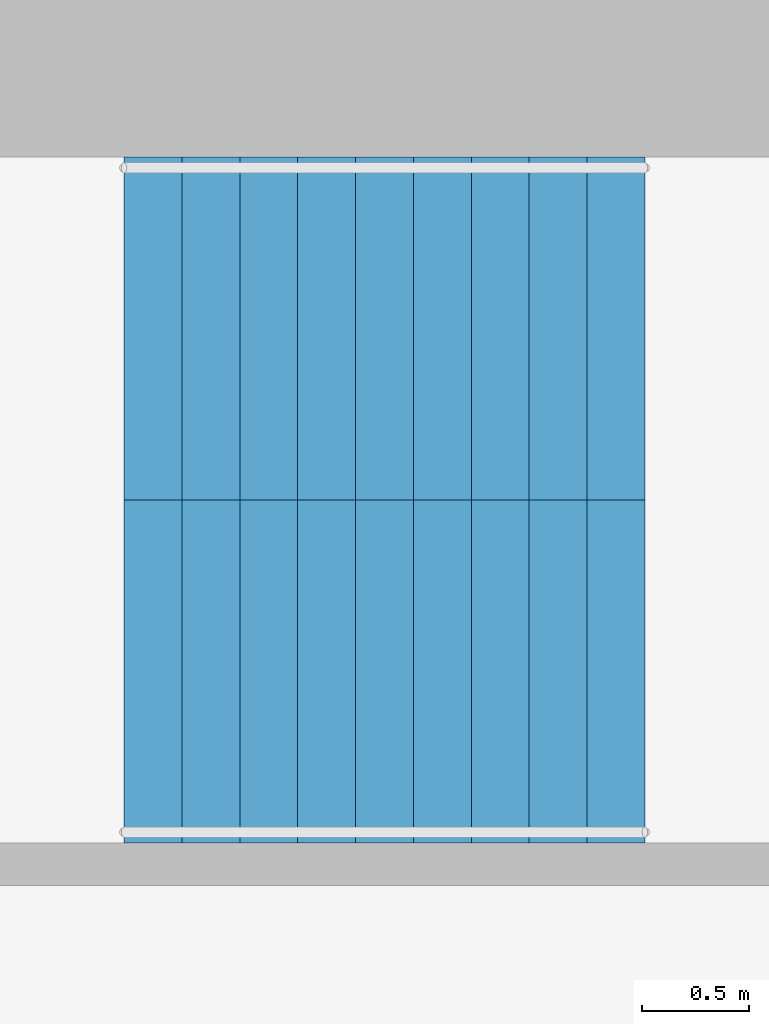
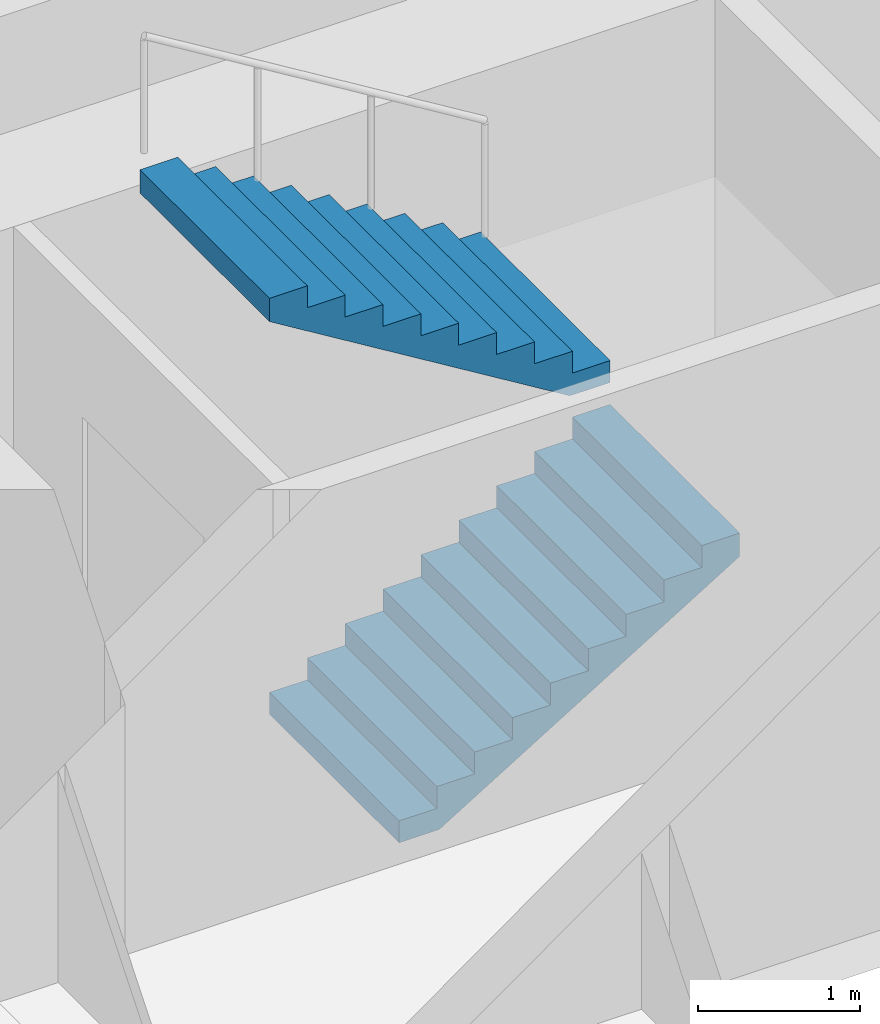
# One storey, part 10 of 13: 2 stair flights, 1 element without a shape of its own.
"""IFC4 building model written with IfcOpenShell, lengths in metres."""

from ifc_helpers import new_model, si_unit, direction, frame, origin, place, context, subcontext, project, spatial, polyline, outline, extrude, material, type_object, element, aggregate, save


model = new_model("IFC4")

# Units and contexts
model_context = context("Model", 3, precision=1e-05, world=origin(), true_north=direction((0.0, 1.0)))
body_context = subcontext(model_context, "Body", "Model", "MODEL_VIEW")
ifc_project = project(units=[si_unit("LENGTHUNIT", "METRE"), si_unit("AREAUNIT", "SQUARE_METRE"), si_unit("VOLUMEUNIT", "CUBIC_METRE"), si_unit("PLANEANGLEUNIT", "RADIAN"), si_unit("MASSUNIT", "GRAM", prefix="KILO")], contexts=[model_context])

# Site, building, storey
site_placement = place(None, origin())
site = spatial("IfcSite", under=ifc_project, at=site_placement, CompositionType="ELEMENT")
building_placement = place(site_placement, origin())
building = spatial("IfcBuilding", under=site, at=building_placement, Name="Taillehof Tower", CompositionType="ELEMENT")
storey_placement = place(building_placement, frame((0.0, 0.0, 54.699951171875)))
storey = spatial("IfcBuildingStorey", under=building, at=storey_placement, Name="L14", CompositionType="ELEMENT", Elevation=54.699951171875)

# Stair, stair flights
ifc_material_1 = material(Name="Concrete C40/50", Category="concrete")
stair_type = type_object("IfcStairType", Name="Exit stair half-turn", PredefinedType="HALF_TURN_STAIR", material=ifc_material_1)
stair_placement = place(storey_placement, origin())
stair = element("IfcStair", 1, at=stair_placement, inside=storey, type_object=stair_type, Name="Exit stair S1", PredefinedType="HALF_TURN_STAIR")
ifc_material_2 = material(Name="Concrete C40/50", Category="concrete")
stair_flight_type = type_object("IfcStairFlightType", Name="Stair flight 1600 riser 165.0 going 270", PredefinedType="STRAIGHT", material=ifc_material_2)
stair_flight_1_placement = place(storey_placement, frame((7.0, 6.699951171875, 0.0), z_axis=(0.0, 0.0, 1.0), x_axis=(1.0, 0.0, 0.0)))
stair_flight_1 = element("IfcStairFlight", 2, at=stair_flight_1_placement, type_object=stair_flight_type, Name="S1 flight 1", NumberOfRisers=10, NumberOfTreads=9, PredefinedType="STRAIGHT", RiserHeight=0.165, TreadLength=0.27, context=body_context, shape_type="SweptSolid", body=[
    extrude(outline(polyline([(0.0, 0.0), (0.0, 0.00537109375), (0.0, 0.0107421875), (0.0, 0.015869140625), (0.0, 0.021240234375), (0.0, 0.026611328125), (0.0, 0.031982421875), (0.0, 0.037353515625), (0.0, 0.04248046875), (0.0, 0.0478515625), (0.0, 0.05322265625), (0.0, 0.05859375), (0.0, 0.06396484375), (0.0, 0.069091796875), (0.0, 0.074462890625), (0.0, 0.079833984375), (0.0, 0.085205078125), (0.0, 0.090576171875), (0.0, 0.095703125), (0.0, 0.10107421875), (0.0, 0.1064453125), (0.0, 0.11181640625), (0.0, 0.1171875), (0.0, 0.122314453125), (0.0, 0.127685546875), (0.0, 0.133056640625), (0.0, 0.138427734375), (0.0, 0.143798828125), (0.0, 0.14892578125), (0.0, 0.154296875), (0.0, 0.15966796875), (0.0, 0.1650390625), (0.27001953125, 0.1650390625), (0.27001953125, 0.330078125), (0.5400390625, 0.330078125), (0.5400390625, 0.4951171875), (0.81005859375, 0.4951171875), (0.81005859375, 0.659912109375), (1.080078125, 0.659912109375), (1.080078125, 0.824951171875), (1.35009765625, 0.824951171875), (1.35009765625, 0.989990234375), (1.6201171875, 0.989990234375), (1.6201171875, 1.155029296875), (1.889892578125, 1.155029296875), (1.889892578125, 1.320068359375), (2.159912109375, 1.320068359375), (2.159912109375, 1.485107421875), (2.429931640625, 1.485107421875), (2.429931640625, 1.479248046875), (2.429931640625, 1.4736328125), (2.429931640625, 1.468017578125), (2.429931640625, 1.46240234375), (2.429931640625, 1.45654296875), (2.429931640625, 1.450927734375), (2.429931640625, 1.4453125), (2.429931640625, 1.439697265625), (2.429931640625, 1.43408203125), (2.429931640625, 1.42822265625), (2.429931640625, 1.422607421875), (2.429931640625, 1.4169921875), (2.429931640625, 1.411376953125), (2.429931640625, 1.40576171875), (2.429931640625, 1.39990234375), (2.429931640625, 1.394287109375), (2.429931640625, 1.388671875), (2.429931640625, 1.383056640625), (2.429931640625, 1.37744140625), (2.429931640625, 1.37158203125), (2.429931640625, 1.365966796875), (2.429931640625, 1.3603515625), (2.429931640625, 1.354736328125), (2.429931640625, 1.348876953125), (2.429931640625, 1.34326171875), (2.429931640625, 1.337646484375), (2.429931640625, 1.33203125), (2.429931640625, 1.326416015625), (2.429931640625, 1.320556640625), (2.429931640625, 1.31494140625), (2.429931640625, 1.309326171875), (0.287353515625, 0.0), (0.0, 0.0)])), frame((0.0, 0.800048828125, 0.0), z_axis=(0.0, -1.0, 0.0), x_axis=(1.0, 0.0, 0.0)), (0.0, 0.0, 1.0), 1.6),
])
stair_flight_2_placement = place(storey_placement, frame((9.429931640625, 8.300048828125, 1.650146484375), z_axis=(0.0, 0.0, 1.0), x_axis=(-1.0, 0.0, 0.0)))
stair_flight_2 = element("IfcStairFlight", 3, at=stair_flight_2_placement, type_object=stair_flight_type, Name="S1 flight 2", NumberOfRisers=10, NumberOfTreads=9, PredefinedType="STRAIGHT", RiserHeight=0.165, TreadLength=0.27, context=body_context, shape_type="SweptSolid", body=[
    extrude(outline(polyline([(0.0, 0.0), (0.0, 0.00537109375), (0.0, 0.0107421875), (0.0, 0.015869140625), (0.0, 0.021240234375), (0.0, 0.026611328125), (0.0, 0.031982421875), (0.0, 0.037353515625), (0.0, 0.04248046875), (0.0, 0.0478515625), (0.0, 0.05322265625), (0.0, 0.05859375), (0.0, 0.06396484375), (0.0, 0.069091796875), (0.0, 0.074462890625), (0.0, 0.079833984375), (0.0, 0.085205078125), (0.0, 0.090576171875), (0.0, 0.095703125), (0.0, 0.10107421875), (0.0, 0.1064453125), (0.0, 0.11181640625), (0.0, 0.1171875), (0.0, 0.122314453125), (0.0, 0.127685546875), (0.0, 0.133056640625), (0.0, 0.138427734375), (0.0, 0.143798828125), (0.0, 0.14892578125), (0.0, 0.154296875), (0.0, 0.15966796875), (0.0, 0.1650390625), (0.27001953125, 0.1650390625), (0.27001953125, 0.330078125), (0.5400390625, 0.330078125), (0.5400390625, 0.4951171875), (0.81005859375, 0.4951171875), (0.81005859375, 0.659912109375), (1.080078125, 0.659912109375), (1.080078125, 0.824951171875), (1.35009765625, 0.824951171875), (1.35009765625, 0.989990234375), (1.6201171875, 0.989990234375), (1.6201171875, 1.155029296875), (1.889892578125, 1.155029296875), (1.889892578125, 1.320068359375), (2.159912109375, 1.320068359375), (2.159912109375, 1.485107421875), (2.429931640625, 1.485107421875), (2.429931640625, 1.479248046875), (2.429931640625, 1.4736328125), (2.429931640625, 1.468017578125), (2.429931640625, 1.46240234375), (2.429931640625, 1.45654296875), (2.429931640625, 1.450927734375), (2.429931640625, 1.4453125), (2.429931640625, 1.439697265625), (2.429931640625, 1.43408203125), (2.429931640625, 1.42822265625), (2.429931640625, 1.422607421875), (2.429931640625, 1.4169921875), (2.429931640625, 1.411376953125), (2.429931640625, 1.40576171875), (2.429931640625, 1.39990234375), (2.429931640625, 1.394287109375), (2.429931640625, 1.388671875), (2.429931640625, 1.383056640625), (2.429931640625, 1.37744140625), (2.429931640625, 1.37158203125), (2.429931640625, 1.365966796875), (2.429931640625, 1.3603515625), (2.429931640625, 1.354736328125), (2.429931640625, 1.348876953125), (2.429931640625, 1.34326171875), (2.429931640625, 1.337646484375), (2.429931640625, 1.33203125), (2.429931640625, 1.326416015625), (2.429931640625, 1.320556640625), (2.429931640625, 1.31494140625), (2.429931640625, 1.309326171875), (0.287353515625, 0.0), (0.0, 0.0)])), frame((0.0, 0.800048828125, 0.0), z_axis=(0.0, -1.0, 0.0), x_axis=(1.0, 0.0, 0.0)), (0.0, 0.0, 1.0), 1.6),
])
aggregate(stair, [stair_flight_1, stair_flight_2])

save(model, "model.ifc")
